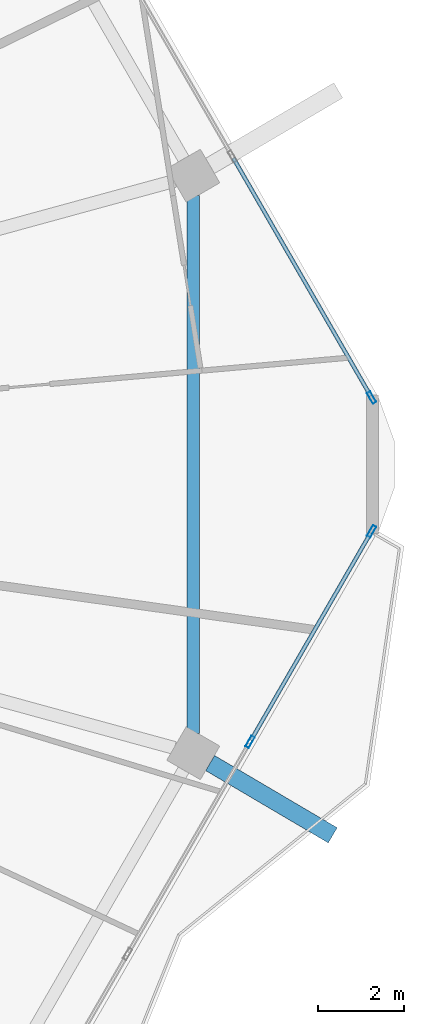
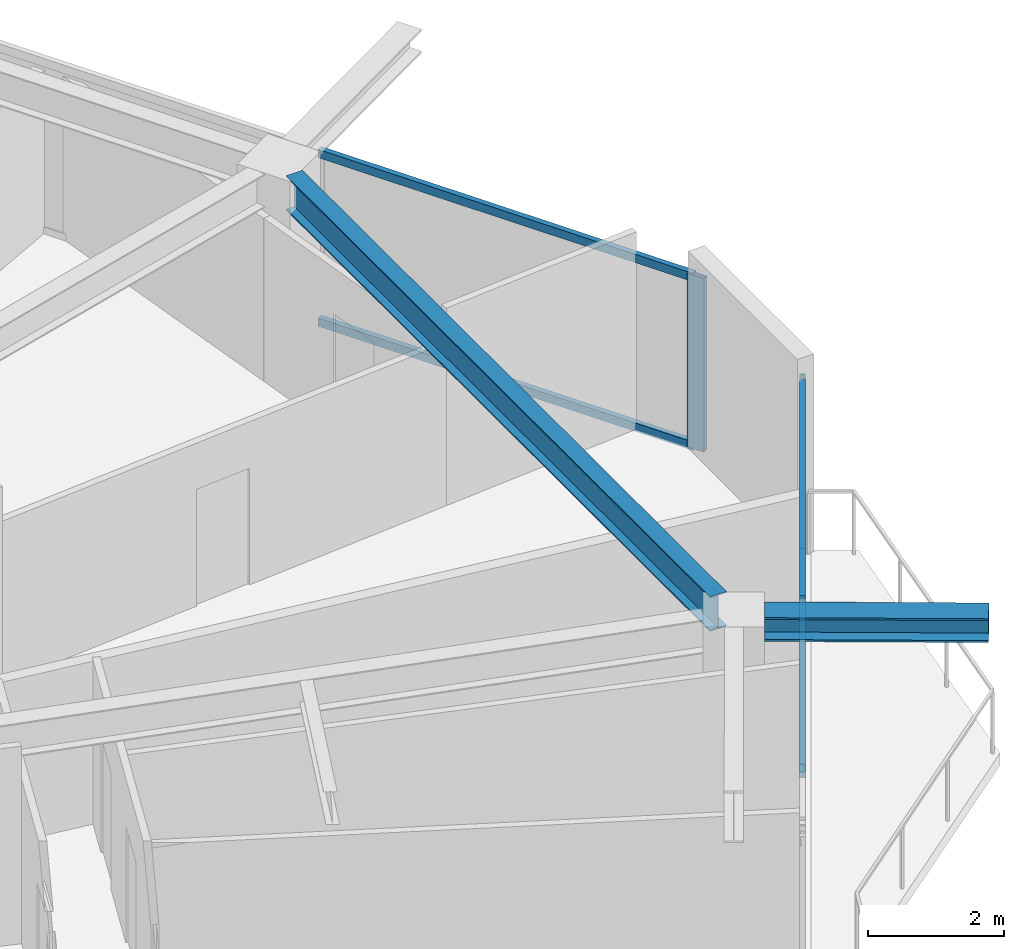
# One storey, part 10 of 25: 7 members, 2 beams, 2 elements without a shape of their own.
"""IFC4 building model written with IfcOpenShell, lengths in metres."""

from ifc_helpers import new_model, si_unit, direction, frame, origin, origin_2d, place, context, subcontext, project, spatial, hollow_rectangle, i_section, extrude, material, material_profile, profile_set, type_object, element, aggregate, save


model = new_model("IFC4")

# Units and contexts
model_context = context("Model", 3, precision=1e-05, world=origin(), true_north=direction((0.0, 1.0)))
body_context = subcontext(model_context, "Body", "Model", "MODEL_VIEW")
ifc_project = project(units=[si_unit("LENGTHUNIT", "METRE"), si_unit("AREAUNIT", "SQUARE_METRE"), si_unit("VOLUMEUNIT", "CUBIC_METRE"), si_unit("PLANEANGLEUNIT", "RADIAN"), si_unit("MASSUNIT", "GRAM", prefix="KILO")], contexts=[model_context])

# Site, building, storey
site_placement = place(None, origin())
site = spatial("IfcSite", under=ifc_project, at=site_placement, CompositionType="ELEMENT")
building_placement = place(site_placement, origin())
building = spatial("IfcBuilding", under=site, at=building_placement, Name="Zuhravey Tower", CompositionType="ELEMENT")
storey_placement = place(building_placement, frame((0.0, 0.0, 235.0)))
storey = spatial("IfcBuildingStorey", under=building, at=storey_placement, Name="L59", CompositionType="ELEMENT", Elevation=235.0)

# Curtain wall, members
ifc_material_1 = material(Name="Thermally broken anodised aluminium", Category="aluminium")
curtain_wall_type = type_object("IfcCurtainWallType", Name="Zone 3-4 High-Rise Curtain Wall CW4", PredefinedType="NOTDEFINED", material=ifc_material_1)
curtain_wall_1_placement = place(storey_placement, origin())
curtain_wall_1 = element("IfcCurtainWall", 1, at=curtain_wall_1_placement, inside=storey, type_object=curtain_wall_type, Name="L59 CW4 CW-L59-F6-1", PredefinedType="NOTDEFINED")
ifc_material_2 = material(Name="Anodised aluminium", Category="aluminium")
ifc_material_profile_1 = material_profile(ifc_material_2, hollow_rectangle(XDim=0.090087890625, YDim=0.284912109375, WallThickness=0.0048828125, at=origin_2d()), Name="ALU-RHS-90x285x5")
ifc_profile_set_1 = profile_set([ifc_material_profile_1], Name="Anodised aluminium")
member_type_1 = type_object("IfcMemberType", Name="Curtain-Wall Mullion 90x180", PredefinedType="MULLION", material=ifc_profile_set_1)
member_1_placement = place(storey_placement, frame((64.62255859375, 30.448486328125, 0.0), z_axis=(0.0, 0.0, 1.0), x_axis=(0.866023796192, -0.500002784421, 0.0)))
member_1 = element("IfcMember", 2, at=member_1_placement, type_object=member_type_1, Name="CW4 mullion 1", PredefinedType="MULLION", context=body_context, shape_type="SweptSolid", body=[
    extrude(hollow_rectangle(XDim=0.090087890625, YDim=0.284912109375, WallThickness=0.0048828125, at=origin_2d()), origin(), (0.0, 0.0, 1.0), 3.1220703125),
])
member_2_placement = place(storey_placement, frame((61.802490234375, 25.56396484375, 0.0), z_axis=(0.0, 0.0, 1.0), x_axis=(0.866023796192, -0.500002784421, 0.0)))
member_2 = element("IfcMember", 3, at=member_2_placement, type_object=member_type_1, Name="CW4 mullion 2", PredefinedType="MULLION", context=body_context, shape_type="SweptSolid", body=[
    extrude(hollow_rectangle(XDim=0.090087890625, YDim=0.284912109375, WallThickness=0.0048828125, at=origin_2d()), origin(), (0.0, 0.0, 1.0), 3.1220703125),
])

# Curtain wall, member
curtain_wall_2_placement = place(storey_placement, origin())
curtain_wall_2 = element("IfcCurtainWall", 4, at=curtain_wall_2_placement, inside=storey, type_object=curtain_wall_type, Name="L59 CW4 CW-L59-F1-1", PredefinedType="NOTDEFINED")
member_3_placement = place(storey_placement, frame((64.62255859375, 33.551513671875, 0.0), z_axis=(0.0, 0.0, 1.0), x_axis=(0.866024851021, 0.500000957414, 0.0)))
member_3 = element("IfcMember", 5, at=member_3_placement, type_object=member_type_1, Name="CW4 mullion 5", PredefinedType="MULLION", context=body_context, shape_type="SweptSolid", body=[
    extrude(hollow_rectangle(XDim=0.090087890625, YDim=0.284912109375, WallThickness=0.0048828125, at=origin_2d()), origin(), (0.0, 0.0, 1.0), 3.1220703125),
])

# Member
ifc_material_profile_2 = material_profile(ifc_material_2, hollow_rectangle(XDim=0.090087890625, YDim=0.14990234375, WallThickness=0.0048828125, at=origin_2d()), Name="ALU-RHS-90x150x5")
ifc_profile_set_2 = profile_set([ifc_material_profile_2], Name="Anodised aluminium")
member_type_2 = type_object("IfcMemberType", Name="Curtain-Wall Transom 90x150", PredefinedType="USERDEFINED", material=ifc_profile_set_2)
member_4_placement = place(storey_placement, frame((64.60009765625, 30.40966796875, 0.044921875), z_axis=(-0.500004219487, -0.866022967649, 0.0), x_axis=(0.866022967649, -0.500004219487, 0.0)))
member_4 = element("IfcMember", 6, at=member_4_placement, type_object=member_type_2, Name="CW4 transom 1.1", ObjectType="TRANSOM", PredefinedType="USERDEFINED", context=body_context, shape_type="SweptSolid", body=[
    extrude(hollow_rectangle(XDim=0.090087890625, YDim=0.14990234375, WallThickness=0.0048828125, at=origin_2d()), origin(), (0.0, 0.0, 1.0), 5.55029296875),
])

member_5_placement = place(storey_placement, frame((64.60009765625, 30.40966796875, 3.076904296875), z_axis=(-0.500004219487, -0.866022967649, 0.0), x_axis=(0.866022967649, -0.500004219487, 0.0)))
member_5 = element("IfcMember", 7, at=member_5_placement, type_object=member_type_2, Name="CW4 transom 1.2", ObjectType="TRANSOM", PredefinedType="USERDEFINED", context=body_context, shape_type="SweptSolid", body=[
    extrude(hollow_rectangle(XDim=0.090087890625, YDim=0.14990234375, WallThickness=0.0048828125, at=origin_2d()), origin(), (0.0, 0.0, 1.0), 5.55029296875),
])

aggregate(curtain_wall_1, [member_1, member_2, member_4, member_5])

member_6_placement = place(storey_placement, frame((61.414306640625, 39.108154296875, 0.044921875), z_axis=(0.500008810174, -0.866020317169, 0.0), x_axis=(0.866020317169, 0.500008810174, 0.0)))
member_6 = element("IfcMember", 8, at=member_6_placement, type_object=member_type_2, Name="CW4 transom 4.1", ObjectType="TRANSOM", PredefinedType="USERDEFINED", context=body_context, shape_type="SweptSolid", body=[
    extrude(hollow_rectangle(XDim=0.090087890625, YDim=0.14990234375, WallThickness=0.0048828125, at=origin_2d()), origin(), (0.0, 0.0, 1.0), 6.37158203125),
])

member_7_placement = place(storey_placement, frame((61.414306640625, 39.108154296875, 3.076904296875), z_axis=(0.500008810174, -0.866020317169, 0.0), x_axis=(0.866020317169, 0.500008810174, 0.0)))
member_7 = element("IfcMember", 9, at=member_7_placement, type_object=member_type_2, Name="CW4 transom 4.2", ObjectType="TRANSOM", PredefinedType="USERDEFINED", context=body_context, shape_type="SweptSolid", body=[
    extrude(hollow_rectangle(XDim=0.090087890625, YDim=0.14990234375, WallThickness=0.0048828125, at=origin_2d()), origin(), (0.0, 0.0, 1.0), 6.37158203125),
])

aggregate(curtain_wall_2, [member_3, member_6, member_7])

# Beams
ifc_material_3 = material(Name="Steel SM460", Category="steel")
ifc_material_profile_3 = material_profile(ifc_material_3, i_section(OverallWidth=0.406982421875, OverallDepth=0.427978515625, WebThickness=0.02001953125, FlangeThickness=0.034912109375, at=origin_2d()), Name="H-428x407x20x35")
ifc_profile_set_3 = profile_set([ifc_material_profile_3], Name="Steel SM460")
beam_type_1 = type_object("IfcBeamType", Name="Exoskeleton Node Tie Beam H428x407", PredefinedType="BEAM", material=ifc_profile_set_3)
beam_1_placement = place(storey_placement, frame((60.875732421875, 25.070556640625, 3.3359375), z_axis=(0.861608927627, -0.507572709898, 0.0), x_axis=(0.507572709898, 0.861608927627, 0.0)))
element("IfcBeam", 10, at=beam_1_placement, inside=storey, type_object=beam_type_1, Name="L59 Exoskeleton Node Tie NT1-12", PredefinedType="BEAM", context=body_context, shape_type="SweptSolid", body=[
    extrude(i_section(OverallWidth=0.406982421875, OverallDepth=0.427978515625, WebThickness=0.02001953125, FlangeThickness=0.034912109375, at=origin_2d()), origin(), (0.0, 0.0, 1.0), 3.301025390625),
])
ifc_material_4 = material(Name="Steel SM355", Category="steel")
ifc_material_profile_4 = material_profile(ifc_material_4, i_section(OverallWidth=0.280029296875, OverallDepth=0.6201171875, WebThickness=0.011962890625, FlangeThickness=0.02001953125, at=origin_2d()), Name="H-620x280x12x20")
ifc_profile_set_4 = profile_set([ifc_material_profile_4], Name="Steel SM355")
beam_type_2 = type_object("IfcBeamType", Name="Perimeter Ring Beam H620x280", PredefinedType="BEAM", material=ifc_profile_set_4)
beam_2_placement = place(storey_placement, frame((60.484619140625, 25.754150390625, 3.239990234375), z_axis=(0.0, 1.0, 0.0), x_axis=(-1.0, 0.0, 0.0)))
element("IfcBeam", 11, at=beam_2_placement, inside=storey, type_object=beam_type_2, Name="L59 PB3 BM-L59-PB-12", PredefinedType="BEAM", context=body_context, shape_type="SweptSolid", body=[
    extrude(i_section(OverallWidth=0.280029296875, OverallDepth=0.6201171875, WebThickness=0.011962890625, FlangeThickness=0.02001953125, at=origin_2d()), origin(), (0.0, 0.0, 1.0), 12.49169921875),
])

save(model, "model.ifc")
